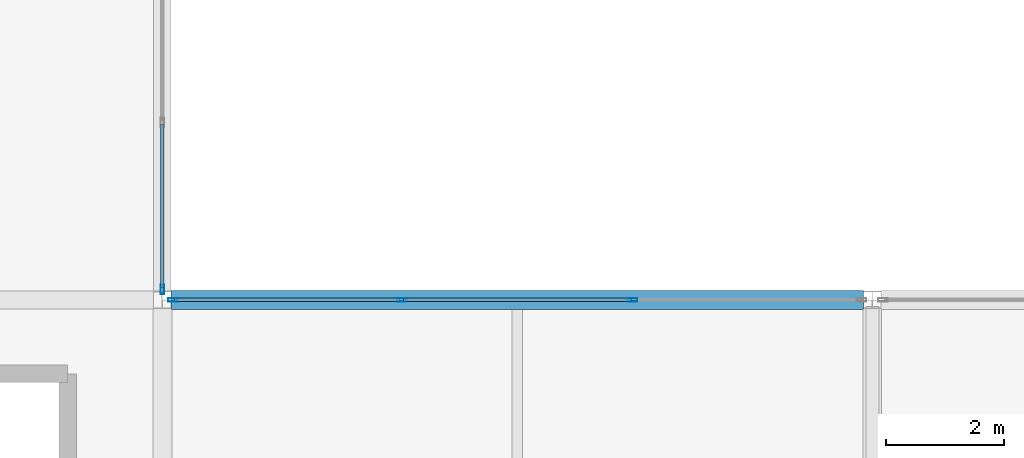
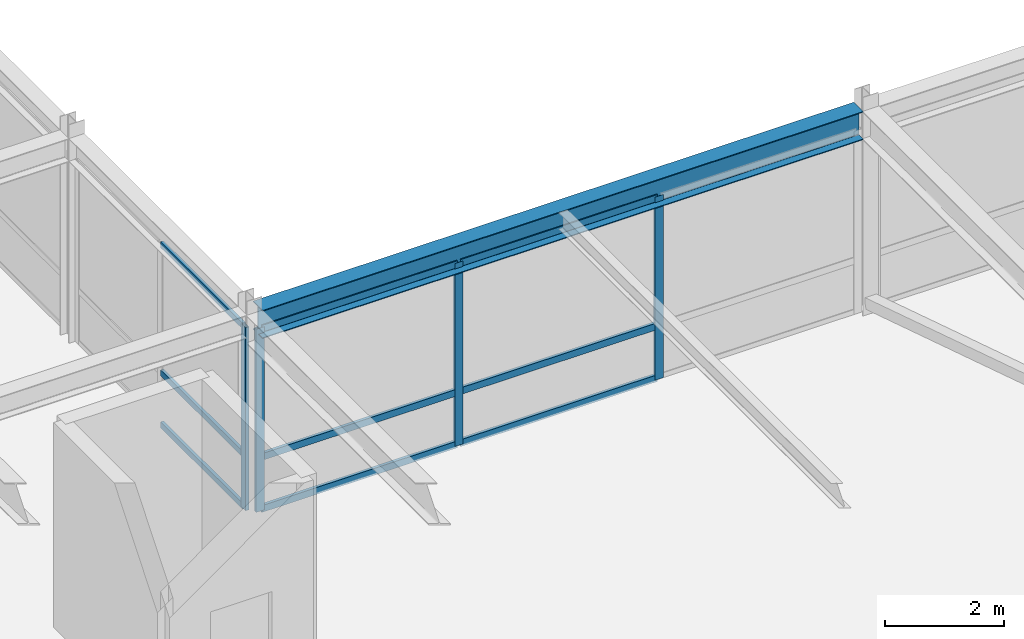
# One storey, part 60 of 108: 13 members, 1 beam, 2 elements without a shape of their own.
"""IFC4 building model written with IfcOpenShell, lengths in metres."""

from ifc_helpers import new_model, si_unit, direction, frame, origin, origin_2d, place, context, subcontext, project, spatial, hollow_rectangle, i_section, extrude, material, layer, layer_set, material_profile, profile_set, type_object, element, aggregate, save


model = new_model("IFC4")

# Units and contexts
model_context = context("Model", 3, precision=1e-05, world=origin(), true_north=direction((0.0, 1.0)))
body_context = subcontext(model_context, "Body", "Model", "MODEL_VIEW")
ifc_project = project(units=[si_unit("LENGTHUNIT", "METRE"), si_unit("AREAUNIT", "SQUARE_METRE"), si_unit("VOLUMEUNIT", "CUBIC_METRE"), si_unit("PLANEANGLEUNIT", "RADIAN"), si_unit("MASSUNIT", "GRAM", prefix="KILO")], contexts=[model_context])

# Site, building, storey
site_placement = place(None, origin())
site = spatial("IfcSite", under=ifc_project, at=site_placement, CompositionType="ELEMENT")
building_placement = place(site_placement, origin())
building = spatial("IfcBuilding", under=site, at=building_placement, Name="Zlatovratsky Civic Hall", CompositionType="ELEMENT")
storey_placement = place(building_placement, frame((0.0, 0.0, 12.0)))
storey = spatial("IfcBuildingStorey", under=building, at=storey_placement, Name="L03", CompositionType="ELEMENT", Elevation=12.0)

# Beam
ifc_material_1 = material(Name="Steel S355", Category="steel")
ifc_material_profile_1 = material_profile(ifc_material_1, i_section(OverallWidth=0.320068359375, OverallDepth=0.58203125, WebThickness=0.011962890625, FlangeThickness=0.01708984375, FilletRadius=0.02392578125, at=origin_2d()), Name="60Sh1")
ifc_profile_set_1 = profile_set([ifc_material_profile_1], Name="Steel S355")
beam_type = type_object("IfcBeamType", Name="Beam_PodiumGirder_60Sh1", PredefinedType="BEAM", material=ifc_profile_set_1)
beam_placement = place(storey_placement, frame((120.1494140625, 30.0, 3.928955078125), z_axis=(1.0, 0.0, 0.0), x_axis=(0.0, 1.0, 0.0)))
element("IfcBeam", 1, at=beam_placement, inside=storey, type_object=beam_type, Name="BM-2538", PredefinedType="BEAM", context=body_context, shape_type="SweptSolid", body=[
    extrude(i_section(OverallWidth=0.320068359375, OverallDepth=0.58203125, WebThickness=0.011962890625, FlangeThickness=0.01708984375, FilletRadius=0.02392578125, at=origin_2d()), origin(), (0.0, 0.0, 1.0), 11.701171875),
])

# Curtain wall, members
ifc_material_2 = material(Name="Anodised bronze aluminium", Category="aluminium")
ifc_layer_1 = layer(ifc_material_2, 0.159912109375)
ifc_layer_set_1 = layer_set([ifc_layer_1], Name="Anodised bronze aluminium")
curtain_wall_type_1 = type_object("IfcCurtainWallType", Name="CurtainWall_Bronze_11700x3770_11", PredefinedType="NOTDEFINED", material=ifc_layer_set_1)
curtain_wall_1_placement = place(storey_placement, origin())
curtain_wall_1 = element("IfcCurtainWall", 2, at=curtain_wall_1_placement, inside=storey, type_object=curtain_wall_type_1, Name="CW-069", PredefinedType="NOTDEFINED")
ifc_material_profile_2 = material_profile(ifc_material_2, hollow_rectangle(XDim=0.06005859375, YDim=0.159912109375, WallThickness=0.00390625, at=origin_2d()), Name="ALU 60x160x4")
ifc_profile_set_2 = profile_set([ifc_material_profile_2], Name="Anodised bronze aluminium")
member_type_1 = type_object("IfcMemberType", Name="CW_Mullion_60x160", PredefinedType="MULLION", material=ifc_profile_set_2)
member_1_placement = place(storey_placement, frame((120.179443359375, 30.0, 0.0), z_axis=(0.0, 0.0, 1.0), x_axis=(0.0, 1.0, 0.0)))
member_1 = element("IfcMember", 3, at=member_1_placement, type_object=member_type_1, Name="CW-11 mullion 1", PredefinedType="MULLION", context=body_context, shape_type="SweptSolid", body=[
    extrude(hollow_rectangle(XDim=0.06005859375, YDim=0.159912109375, WallThickness=0.00390625, at=origin_2d()), origin(), (0.0, 0.0, 1.0), 3.77001953125),
])
member_2_placement = place(storey_placement, frame((124.0498046875, 30.0, 0.0), z_axis=(0.0, 0.0, 1.0), x_axis=(0.0, 1.0, 0.0)))
member_2 = element("IfcMember", 4, at=member_2_placement, type_object=member_type_1, Name="CW-11 mullion 2", PredefinedType="MULLION", context=body_context, shape_type="SweptSolid", body=[
    extrude(hollow_rectangle(XDim=0.06005859375, YDim=0.159912109375, WallThickness=0.00390625, at=origin_2d()), origin(), (0.0, 0.0, 1.0), 3.77001953125),
])
member_3_placement = place(storey_placement, frame((127.9501953125, 30.0, 0.0), z_axis=(0.0, 0.0, 1.0), x_axis=(0.0, 1.0, 0.0)))
member_3 = element("IfcMember", 5, at=member_3_placement, type_object=member_type_1, Name="CW-11 mullion 3", PredefinedType="MULLION", context=body_context, shape_type="SweptSolid", body=[
    extrude(hollow_rectangle(XDim=0.06005859375, YDim=0.159912109375, WallThickness=0.00390625, at=origin_2d()), origin(), (0.0, 0.0, 1.0), 3.77001953125),
])

ifc_layer_2 = layer(ifc_material_2, 0.159912109375)
ifc_layer_set_2 = layer_set([ifc_layer_2], Name="Anodised bronze aluminium")
curtain_wall_type_2 = type_object("IfcCurtainWallType", Name="CurtainWall_Bronze_5700x3770_12", PredefinedType="NOTDEFINED", material=ifc_layer_set_2)
curtain_wall_2_placement = place(storey_placement, origin())
curtain_wall_2 = element("IfcCurtainWall", 6, at=curtain_wall_2_placement, inside=storey, type_object=curtain_wall_type_2, Name="CW-075", PredefinedType="NOTDEFINED")
member_4_placement = place(storey_placement, frame((120.0, 30.177978515625, 0.0), z_axis=(0.0, 0.0, 1.0), x_axis=(-1.0, 0.0, 0.0)))
member_4 = element("IfcMember", 7, at=member_4_placement, type_object=member_type_1, Name="CW-12 mullion 1", PredefinedType="MULLION", context=body_context, shape_type="SweptSolid", body=[
    extrude(hollow_rectangle(XDim=0.06005859375, YDim=0.159912109375, WallThickness=0.00390625, at=origin_2d()), origin(), (0.0, 0.0, 1.0), 3.77001953125),
])
ifc_material_profile_3 = material_profile(ifc_material_2, hollow_rectangle(XDim=0.06005859375, YDim=0.1201171875, WallThickness=0.00390625, at=origin_2d()), Name="ALU 60x120x4")
ifc_profile_set_3 = profile_set([ifc_material_profile_3], Name="Anodised bronze aluminium")
member_type_2 = type_object("IfcMemberType", Name="CW_Transom_60x120", PredefinedType="USERDEFINED", material=ifc_profile_set_3)
member_5_placement = place(storey_placement, frame((120.0, 30.2080078125, 0.030029296875), z_axis=(0.0, 1.0, 0.0), x_axis=(-1.0, 0.0, 0.0)))
member_5 = element("IfcMember", 8, at=member_5_placement, type_object=member_type_2, Name="CW-12 transom 1.1", ObjectType="TRANSOM", PredefinedType="USERDEFINED", context=body_context, shape_type="SweptSolid", body=[
    extrude(hollow_rectangle(XDim=0.06005859375, YDim=0.1201171875, WallThickness=0.00390625, at=origin_2d()), origin(), (0.0, 0.0, 1.0), 2.761962890625),
])
member_6_placement = place(storey_placement, frame((120.0, 30.2080078125, 1.10009765625), z_axis=(0.0, 1.0, 0.0), x_axis=(-1.0, 0.0, 0.0)))
member_6 = element("IfcMember", 9, at=member_6_placement, type_object=member_type_2, Name="CW-12 transom 1.2", ObjectType="TRANSOM", PredefinedType="USERDEFINED", context=body_context, shape_type="SweptSolid", body=[
    extrude(hollow_rectangle(XDim=0.06005859375, YDim=0.1201171875, WallThickness=0.00390625, at=origin_2d()), origin(), (0.0, 0.0, 1.0), 2.761962890625),
])
member_7_placement = place(storey_placement, frame((120.0, 30.2080078125, 3.739990234375), z_axis=(0.0, 1.0, 0.0), x_axis=(-1.0, 0.0, 0.0)))
member_7 = element("IfcMember", 10, at=member_7_placement, type_object=member_type_2, Name="CW-12 transom 1.3", ObjectType="TRANSOM", PredefinedType="USERDEFINED", context=body_context, shape_type="SweptSolid", body=[
    extrude(hollow_rectangle(XDim=0.06005859375, YDim=0.1201171875, WallThickness=0.00390625, at=origin_2d()), origin(), (0.0, 0.0, 1.0), 2.761962890625),
])
aggregate(curtain_wall_2, [member_4, member_5, member_6, member_7])

# Member
ifc_material_profile_4 = material_profile(ifc_material_2, hollow_rectangle(XDim=0.06005859375, YDim=0.139892578125, WallThickness=0.00390625, at=origin_2d()), Name="ALU 60x140x4")
ifc_profile_set_4 = profile_set([ifc_material_profile_4], Name="Anodised bronze aluminium")
member_type_3 = type_object("IfcMemberType", Name="CW_Transom_60x140", PredefinedType="USERDEFINED", material=ifc_profile_set_4)
member_8_placement = place(storey_placement, frame((120.20947265625, 30.0, 0.030029296875), z_axis=(1.0, 0.0, 0.0), x_axis=(0.0, 1.0, 0.0)))
member_8 = element("IfcMember", 11, at=member_8_placement, type_object=member_type_3, Name="CW-11 transom 1.1", ObjectType="TRANSOM", PredefinedType="USERDEFINED", context=body_context, shape_type="SweptSolid", body=[
    extrude(hollow_rectangle(XDim=0.06005859375, YDim=0.139892578125, WallThickness=0.00390625, at=origin_2d()), origin(), (0.0, 0.0, 1.0), 3.810302734375),
])

member_9_placement = place(storey_placement, frame((120.20947265625, 30.0, 1.10009765625), z_axis=(1.0, 0.0, 0.0), x_axis=(0.0, 1.0, 0.0)))
member_9 = element("IfcMember", 12, at=member_9_placement, type_object=member_type_3, Name="CW-11 transom 1.2", ObjectType="TRANSOM", PredefinedType="USERDEFINED", context=body_context, shape_type="SweptSolid", body=[
    extrude(hollow_rectangle(XDim=0.06005859375, YDim=0.139892578125, WallThickness=0.00390625, at=origin_2d()), origin(), (0.0, 0.0, 1.0), 3.810302734375),
])

member_10_placement = place(storey_placement, frame((120.20947265625, 30.0, 3.739990234375), z_axis=(1.0, 0.0, 0.0), x_axis=(0.0, 1.0, 0.0)))
member_10 = element("IfcMember", 13, at=member_10_placement, type_object=member_type_3, Name="CW-11 transom 1.3", ObjectType="TRANSOM", PredefinedType="USERDEFINED", context=body_context, shape_type="SweptSolid", body=[
    extrude(hollow_rectangle(XDim=0.06005859375, YDim=0.139892578125, WallThickness=0.00390625, at=origin_2d()), origin(), (0.0, 0.0, 1.0), 3.810302734375),
])

member_11_placement = place(storey_placement, frame((124.079833984375, 30.0, 0.030029296875), z_axis=(1.0, 0.0, 0.0), x_axis=(0.0, 1.0, 0.0)))
member_11 = element("IfcMember", 14, at=member_11_placement, type_object=member_type_3, Name="CW-11 transom 2.1", ObjectType="TRANSOM", PredefinedType="USERDEFINED", context=body_context, shape_type="SweptSolid", body=[
    extrude(hollow_rectangle(XDim=0.06005859375, YDim=0.139892578125, WallThickness=0.00390625, at=origin_2d()), origin(), (0.0, 0.0, 1.0), 3.84033203125),
])

member_12_placement = place(storey_placement, frame((124.079833984375, 30.0, 1.10009765625), z_axis=(1.0, 0.0, 0.0), x_axis=(0.0, 1.0, 0.0)))
member_12 = element("IfcMember", 15, at=member_12_placement, type_object=member_type_3, Name="CW-11 transom 2.2", ObjectType="TRANSOM", PredefinedType="USERDEFINED", context=body_context, shape_type="SweptSolid", body=[
    extrude(hollow_rectangle(XDim=0.06005859375, YDim=0.139892578125, WallThickness=0.00390625, at=origin_2d()), origin(), (0.0, 0.0, 1.0), 3.84033203125),
])

member_13_placement = place(storey_placement, frame((124.079833984375, 30.0, 3.739990234375), z_axis=(1.0, 0.0, 0.0), x_axis=(0.0, 1.0, 0.0)))
member_13 = element("IfcMember", 16, at=member_13_placement, type_object=member_type_3, Name="CW-11 transom 2.3", ObjectType="TRANSOM", PredefinedType="USERDEFINED", context=body_context, shape_type="SweptSolid", body=[
    extrude(hollow_rectangle(XDim=0.06005859375, YDim=0.139892578125, WallThickness=0.00390625, at=origin_2d()), origin(), (0.0, 0.0, 1.0), 3.84033203125),
])

aggregate(curtain_wall_1, [member_1, member_2, member_3, member_8, member_9, member_10, member_11, member_12, member_13])

save(model, "model.ifc")
